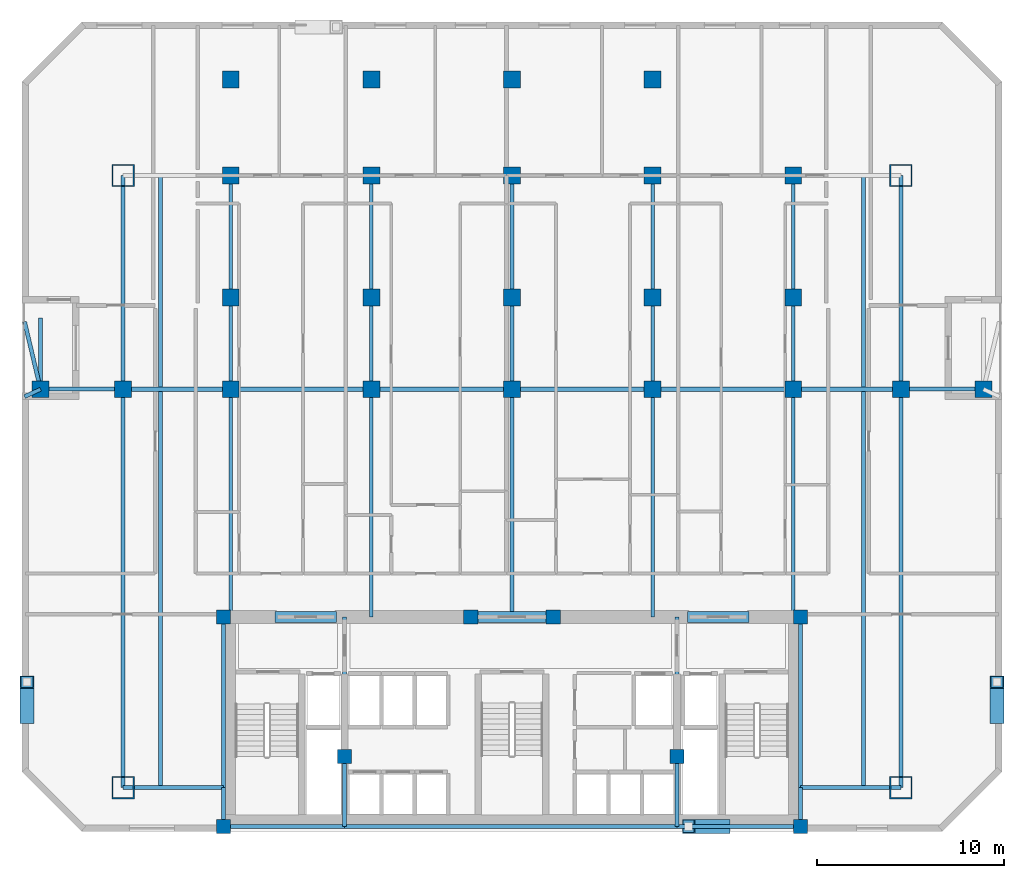
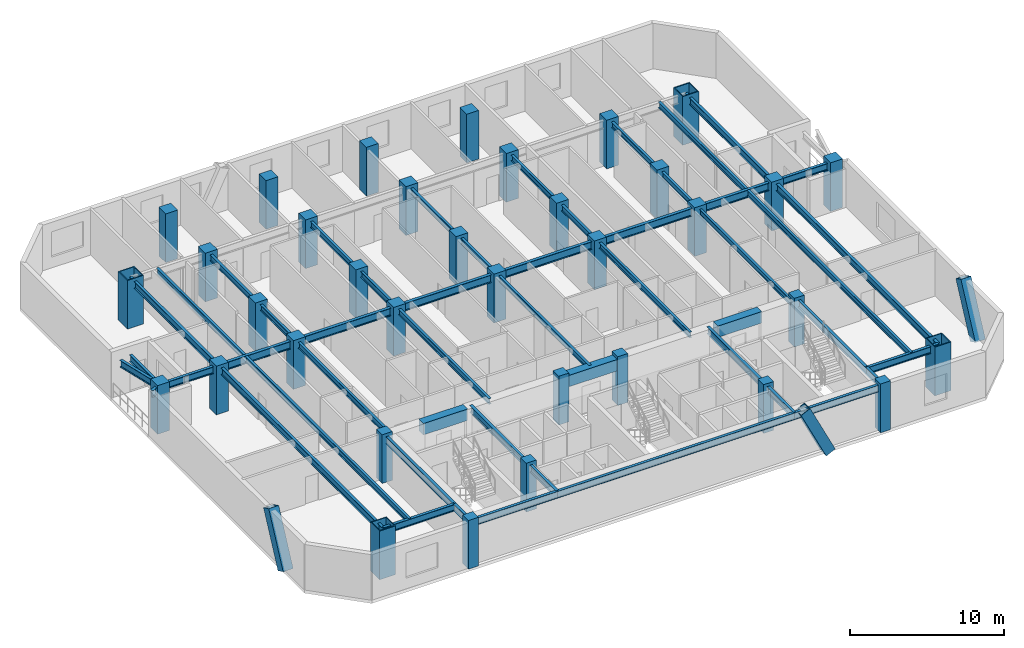
# One storey, part 1 of 9: 45 beams, 35 columns, 3 members.
"""IFC4 building model written with IfcOpenShell, lengths in metres."""

from ifc_helpers import new_model, si_unit, direction, frame, origin, origin_2d, place, context, subcontext, project, spatial, rectangle, hollow_rectangle, i_section, extrude, material, material_profile, profile_set, type_object, element, save


model = new_model("IFC4")

# Units and contexts
model_context = context("Model", 3, precision=1e-05, world=origin(), true_north=direction((0.0, 1.0)))
body_context = subcontext(model_context, "Body", "Model", "MODEL_VIEW")
ifc_project = project(units=[si_unit("LENGTHUNIT", "METRE"), si_unit("AREAUNIT", "SQUARE_METRE"), si_unit("VOLUMEUNIT", "CUBIC_METRE"), si_unit("PLANEANGLEUNIT", "RADIAN"), si_unit("MASSUNIT", "GRAM", prefix="KILO")], contexts=[model_context])

# Site, building, storey
site_placement = place(None, origin())
site = spatial("IfcSite", under=ifc_project, at=site_placement, CompositionType="ELEMENT")
building_placement = place(site_placement, origin())
building = spatial("IfcBuilding", under=site, at=building_placement, Name="Ventersveld Concourse Tower", CompositionType="ELEMENT")
storey_placement = place(building_placement, frame((0.0, 0.0, 100.300048828125)))
storey = spatial("IfcBuildingStorey", under=building, at=storey_placement, Name="L24", CompositionType="ELEMENT", Elevation=100.300048828125)

# Columns
ifc_material_1 = material(Name="Concrete C50/60", Category="concrete")
ifc_material_profile_1 = material_profile(ifc_material_1, rectangle(XDim=0.75, YDim=0.75, at=origin_2d()), Name="RC 750x750")
ifc_profile_set_1 = profile_set([ifc_material_profile_1], Name="Concrete C50/60")
column_type_1 = type_object("IfcColumnType", Name="COL-RC750", PredefinedType="COLUMN", material=ifc_profile_set_1)
for number, where, z_axis, x_axis, name in (
    (1, (13.35009765625, 0.280029296875, 0.0), (0.0, 0.0, 1.0), (1.0, 0.0, 0.0), "L24 Core Spine Column CC-SW"),
    (2, (44.14990234375, 0.280029296875, 0.0), (0.0, 0.0, 1.0), (1.0, 0.0, 0.0), "L24 Core Spine Column CC-SE"),
    (3, (13.35009765625, 11.449951171875, 0.0), (0.0, 0.0, 1.0), (1.0, 0.0, 0.0), "L24 Core Spine Column CC-NW"),
    (4, (44.14990234375, 11.449951171875, 0.0), (0.0, 0.0, 1.0), (1.0, 0.0, 0.0), "L24 Core Spine Column CC-NE"),
    (5, (19.820068359375, 4.0, 0.0), (0.0, 0.0, 1.0), (1.0, 0.0, 0.0), "L24 Core Spine Column CM-1"),
    (6, (37.550048828125, 4.0, 0.0), (0.0, 0.0, 1.0), (1.0, 0.0, 0.0), "L24 Core Spine Column CM-2"),
    (7, (26.550048828125, 11.449951171875, 0.0), (0.0, 0.0, 1.0), (1.0, 0.0, 0.0), "L24 Core Spine Column CM-3"),
    (8, (30.949951171875, 11.449951171875, 0.0), (0.0, 0.0, 1.0), (1.0, 0.0, 0.0), "L24 Core Spine Column CM-4"),
):
    element("IfcColumn", number, at=place(storey_placement, frame(where, z_axis=z_axis, x_axis=x_axis)), inside=storey, type_object=column_type_1, Name=name, PredefinedType="COLUMN", context=body_context, shape_type="SweptSolid", body=[
        extrude(rectangle(XDim=0.75, YDim=0.75, at=origin_2d()), origin(), (0.0, 0.0, 1.0), 3.849853515625),
    ])
ifc_material_2 = material(Name="Concrete C60/75", Category="concrete")
ifc_material_profile_2 = material_profile(ifc_material_2, rectangle(XDim=0.89990234375, YDim=0.89990234375, at=origin_2d()), Name="RC 900x900")
ifc_profile_set_2 = profile_set([ifc_material_profile_2], Name="Concrete C60/75")
column_type_2 = type_object("IfcColumnType", Name="COL-RC900", PredefinedType="COLUMN", material=ifc_profile_set_2)
for number, where, z_axis, x_axis, name in (
    (9, (3.60009765625, 23.60009765625, 0.0), (0.0, 0.0, 1.0), (1.0, 0.0, 0.0), "L24 Interior Gravity Column X=3.60 Y=23.60"),
    (10, (8.0, 23.60009765625, 0.0), (0.0, 0.0, 1.0), (1.0, 0.0, 0.0), "L24 Interior Gravity Column X=8.00 Y=23.60"),
    (11, (13.75, 23.60009765625, 0.0), (0.0, 0.0, 1.0), (1.0, 0.0, 0.0), "L24 Interior Gravity Column X=13.75 Y=23.60"),
    (12, (21.25, 23.60009765625, 0.0), (0.0, 0.0, 1.0), (1.0, 0.0, 0.0), "L24 Interior Gravity Column X=21.25 Y=23.60"),
    (13, (28.75, 23.60009765625, 0.0), (0.0, 0.0, 1.0), (1.0, 0.0, 0.0), "L24 Interior Gravity Column X=28.75 Y=23.60"),
    (14, (36.25, 23.60009765625, 0.0), (0.0, 0.0, 1.0), (1.0, 0.0, 0.0), "L24 Interior Gravity Column X=36.25 Y=23.60"),
    (15, (43.75, 23.60009765625, 0.0), (0.0, 0.0, 1.0), (1.0, 0.0, 0.0), "L24 Interior Gravity Column X=43.75 Y=23.60"),
    (16, (49.5, 23.60009765625, 0.0), (0.0, 0.0, 1.0), (1.0, 0.0, 0.0), "L24 Interior Gravity Column X=49.50 Y=23.60"),
    (17, (53.89990234375, 23.60009765625, 0.0), (0.0, 0.0, 1.0), (1.0, 0.0, 0.0), "L24 Interior Gravity Column X=53.90 Y=23.60"),
    (18, (13.75, 28.5, 0.0), (0.0, 0.0, 1.0), (1.0, 0.0, 0.0), "L24 Upper-North Gravity Column X=13.75 Y=28.50"),
    (19, (21.25, 28.5, 0.0), (0.0, 0.0, 1.0), (1.0, 0.0, 0.0), "L24 Upper-North Gravity Column X=21.25 Y=28.50"),
    (20, (28.75, 28.5, 0.0), (0.0, 0.0, 1.0), (1.0, 0.0, 0.0), "L24 Upper-North Gravity Column X=28.75 Y=28.50"),
    (21, (36.25, 28.5, 0.0), (0.0, 0.0, 1.0), (1.0, 0.0, 0.0), "L24 Upper-North Gravity Column X=36.25 Y=28.50"),
    (22, (43.75, 28.5, 0.0), (0.0, 0.0, 1.0), (1.0, 0.0, 0.0), "L24 Upper-North Gravity Column X=43.75 Y=28.50"),
    (23, (13.75, 40.1201171875, 0.0), (0.0, 0.0, 1.0), (1.0, 0.0, 0.0), "L24 North Brace Node Column X=13.75 Y=40.12"),
    (24, (21.25, 40.1201171875, 0.0), (0.0, 0.0, 1.0), (1.0, 0.0, 0.0), "L24 North Brace Node Column X=21.25 Y=40.12"),
    (25, (28.75, 40.1201171875, 0.0), (0.0, 0.0, 1.0), (1.0, 0.0, 0.0), "L24 North Brace Node Column X=28.75 Y=40.12"),
    (26, (36.25, 40.1201171875, 0.0), (0.0, 0.0, 1.0), (1.0, 0.0, 0.0), "L24 North Brace Node Column X=36.25 Y=40.12"),
    (27, (13.75, 35.0, 0.0), (0.0, 0.0, 1.0), (1.0, 0.0, 0.0), "L24 Mid-North Column X=13.75 Y=35.00"),
    (28, (21.25, 35.0, 0.0), (0.0, 0.0, 1.0), (1.0, 0.0, 0.0), "L24 Mid-North Column X=21.25 Y=35.00"),
    (29, (28.75, 35.0, 0.0), (0.0, 0.0, 1.0), (1.0, 0.0, 0.0), "L24 Mid-North Column X=28.75 Y=35.00"),
    (30, (36.25, 35.0, 0.0), (0.0, 0.0, 1.0), (1.0, 0.0, 0.0), "L24 Mid-North Column X=36.25 Y=35.00"),
    (31, (43.75, 35.0, 0.0), (0.0, 0.0, 1.0), (1.0, 0.0, 0.0), "L24 Mid-North Column X=43.75 Y=35.00"),
):
    element("IfcColumn", number, at=place(storey_placement, frame(where, z_axis=z_axis, x_axis=x_axis)), inside=storey, type_object=column_type_2, Name=name, PredefinedType="COLUMN", context=body_context, shape_type="SweptSolid", body=[
        extrude(rectangle(XDim=0.89990234375, YDim=0.89990234375, at=origin_2d()), origin(), (0.0, 0.0, 1.0), 3.849853515625),
    ])
ifc_material_3 = material(Name="Structural steel S460ML", Category="steel")
ifc_material_profile_3 = material_profile(ifc_material_3, hollow_rectangle(XDim=1.199951171875, YDim=1.199951171875, WallThickness=0.070068359375, at=origin_2d()), Name="BOX 1200x1200x70")
ifc_profile_set_3 = profile_set([ifc_material_profile_3], Name="Structural steel S460ML")
column_type_3 = type_object("IfcColumnType", Name="MC-1200", PredefinedType="USERDEFINED", material=ifc_profile_set_3)
for number, where, z_axis, x_axis, name in (
    (32, (8.0, 2.35009765625, 0.0), (0.0, 0.0, 1.0), (1.0, 0.0, 0.0), "L24 Corner Mega-Column MC-SW"),
    (33, (49.5, 2.35009765625, 0.0), (0.0, 0.0, 1.0), (1.0, 0.0, 0.0), "L24 Corner Mega-Column MC-SE"),
    (34, (49.5, 35.0, 0.0), (0.0, 0.0, 1.0), (1.0, 0.0, 0.0), "L24 Corner Mega-Column MC-NE"),
    (35, (8.0, 35.0, 0.0), (0.0, 0.0, 1.0), (1.0, 0.0, 0.0), "L24 Corner Mega-Column MC-NW"),
):
    element("IfcColumn", number, at=place(storey_placement, frame(where, z_axis=z_axis, x_axis=x_axis)), inside=storey, type_object=column_type_3, Name=name, ObjectType="MEGA_COLUMN", PredefinedType="USERDEFINED", context=body_context, shape_type="SweptSolid", body=[
        extrude(hollow_rectangle(XDim=1.199951171875, YDim=1.199951171875, WallThickness=0.070068359375, at=origin_2d()), origin(), (0.0, 0.0, 1.0), 3.849853515625),
    ])

# Beams
ifc_material_4 = material(Name="Structural steel S355J2", Category="steel")
ifc_material_profile_4 = material_profile(ifc_material_4, i_section(OverallWidth=0.18994140625, OverallDepth=0.453369140625, WebThickness=0.008544921875, FlangeThickness=0.0126953125, FilletRadius=0.01025390625, at=origin_2d()), Name="UB 457x191x67")
ifc_profile_set_4 = profile_set([ifc_material_profile_4], Name="Structural steel S355J2")
beam_type_1 = type_object("IfcBeamType", Name="BM-UB457", PredefinedType="BEAM", material=ifc_profile_set_4)
beam_1_placement = place(storey_placement, frame((10.0, 2.35009765625, 3.373291015625), z_axis=(0.0, 1.0, 0.0), x_axis=(-1.0, 0.0, 0.0)))
element("IfcBeam", 36, at=beam_1_placement, inside=storey, type_object=beam_type_1, Name="L24 N-S Composite Floor Beam South X=10.00", PredefinedType="BEAM", context=body_context, shape_type="SweptSolid", body=[
    extrude(i_section(OverallWidth=0.18994140625, OverallDepth=0.453369140625, WebThickness=0.008544921875, FlangeThickness=0.0126953125, FilletRadius=0.01025390625, at=origin_2d()), origin(), (0.0, 0.0, 1.0), 21.15478515625),
])
beam_2_placement = place(storey_placement, frame((10.0, 23.695068359375, 3.373291015625), z_axis=(0.0, 1.0, 0.0), x_axis=(-1.0, 0.0, 0.0)))
element("IfcBeam", 37, at=beam_2_placement, inside=storey, type_object=beam_type_1, Name="L24 N-S Composite Floor Beam Mid X=10.00", PredefinedType="BEAM", context=body_context, shape_type="SweptSolid", body=[
    extrude(i_section(OverallWidth=0.18994140625, OverallDepth=0.453369140625, WebThickness=0.008544921875, FlangeThickness=0.0126953125, FilletRadius=0.01025390625, at=origin_2d()), origin(), (0.0, 0.0, 1.0), 11.304931640625),
])
beam_3_placement = place(storey_placement, frame((13.75, 11.449951171875, 3.373291015625), z_axis=(0.0, 1.0, 0.0), x_axis=(-1.0, 0.0, 0.0)))
element("IfcBeam", 38, at=beam_3_placement, inside=storey, type_object=beam_type_1, Name="L24 N-S Composite Floor Beam South X=13.75", PredefinedType="BEAM", context=body_context, shape_type="SweptSolid", body=[
    extrude(i_section(OverallWidth=0.18994140625, OverallDepth=0.453369140625, WebThickness=0.008544921875, FlangeThickness=0.0126953125, FilletRadius=0.01025390625, at=origin_2d()), origin(), (0.0, 0.0, 1.0), 12.150146484375),
])
beam_4_placement = place(storey_placement, frame((13.75, 23.60009765625, 3.373291015625), z_axis=(0.0, 1.0, 0.0), x_axis=(-1.0, 0.0, 0.0)))
element("IfcBeam", 39, at=beam_4_placement, inside=storey, type_object=beam_type_1, Name="L24 N-S Composite Floor Beam Mid X=13.75", PredefinedType="BEAM", context=body_context, shape_type="SweptSolid", body=[
    extrude(i_section(OverallWidth=0.18994140625, OverallDepth=0.453369140625, WebThickness=0.008544921875, FlangeThickness=0.0126953125, FilletRadius=0.01025390625, at=origin_2d()), origin(), (0.0, 0.0, 1.0), 11.39990234375),
])
beam_5_placement = place(storey_placement, frame((21.25, 11.449951171875, 3.373291015625), z_axis=(0.0, 1.0, 0.0), x_axis=(-1.0, 0.0, 0.0)))
element("IfcBeam", 40, at=beam_5_placement, inside=storey, type_object=beam_type_1, Name="L24 N-S Composite Floor Beam South X=21.25", PredefinedType="BEAM", context=body_context, shape_type="SweptSolid", body=[
    extrude(i_section(OverallWidth=0.18994140625, OverallDepth=0.453369140625, WebThickness=0.008544921875, FlangeThickness=0.0126953125, FilletRadius=0.01025390625, at=origin_2d()), origin(), (0.0, 0.0, 1.0), 12.150146484375),
])
beam_6_placement = place(storey_placement, frame((21.25, 23.60009765625, 3.373291015625), z_axis=(0.0, 1.0, 0.0), x_axis=(-1.0, 0.0, 0.0)))
element("IfcBeam", 41, at=beam_6_placement, inside=storey, type_object=beam_type_1, Name="L24 N-S Composite Floor Beam Mid X=21.25", PredefinedType="BEAM", context=body_context, shape_type="SweptSolid", body=[
    extrude(i_section(OverallWidth=0.18994140625, OverallDepth=0.453369140625, WebThickness=0.008544921875, FlangeThickness=0.0126953125, FilletRadius=0.01025390625, at=origin_2d()), origin(), (0.0, 0.0, 1.0), 11.39990234375),
])
beam_7_placement = place(storey_placement, frame((28.75, 11.449951171875, 3.373291015625), z_axis=(0.0, 1.0, 0.0), x_axis=(-1.0, 0.0, 0.0)))
element("IfcBeam", 42, at=beam_7_placement, inside=storey, type_object=beam_type_1, Name="L24 N-S Composite Floor Beam South X=28.75", PredefinedType="BEAM", context=body_context, shape_type="SweptSolid", body=[
    extrude(i_section(OverallWidth=0.18994140625, OverallDepth=0.453369140625, WebThickness=0.008544921875, FlangeThickness=0.0126953125, FilletRadius=0.01025390625, at=origin_2d()), origin(), (0.0, 0.0, 1.0), 12.150146484375),
])
beam_8_placement = place(storey_placement, frame((28.75, 23.60009765625, 3.373291015625), z_axis=(0.0, 1.0, 0.0), x_axis=(-1.0, 0.0, 0.0)))
element("IfcBeam", 43, at=beam_8_placement, inside=storey, type_object=beam_type_1, Name="L24 N-S Composite Floor Beam Mid X=28.75", PredefinedType="BEAM", context=body_context, shape_type="SweptSolid", body=[
    extrude(i_section(OverallWidth=0.18994140625, OverallDepth=0.453369140625, WebThickness=0.008544921875, FlangeThickness=0.0126953125, FilletRadius=0.01025390625, at=origin_2d()), origin(), (0.0, 0.0, 1.0), 11.39990234375),
])
beam_9_placement = place(storey_placement, frame((36.25, 11.449951171875, 3.373291015625), z_axis=(0.0, 1.0, 0.0), x_axis=(-1.0, 0.0, 0.0)))
element("IfcBeam", 44, at=beam_9_placement, inside=storey, type_object=beam_type_1, Name="L24 N-S Composite Floor Beam South X=36.25", PredefinedType="BEAM", context=body_context, shape_type="SweptSolid", body=[
    extrude(i_section(OverallWidth=0.18994140625, OverallDepth=0.453369140625, WebThickness=0.008544921875, FlangeThickness=0.0126953125, FilletRadius=0.01025390625, at=origin_2d()), origin(), (0.0, 0.0, 1.0), 12.150146484375),
])
beam_10_placement = place(storey_placement, frame((36.25, 23.60009765625, 3.373291015625), z_axis=(0.0, 1.0, 0.0), x_axis=(-1.0, 0.0, 0.0)))
element("IfcBeam", 45, at=beam_10_placement, inside=storey, type_object=beam_type_1, Name="L24 N-S Composite Floor Beam Mid X=36.25", PredefinedType="BEAM", context=body_context, shape_type="SweptSolid", body=[
    extrude(i_section(OverallWidth=0.18994140625, OverallDepth=0.453369140625, WebThickness=0.008544921875, FlangeThickness=0.0126953125, FilletRadius=0.01025390625, at=origin_2d()), origin(), (0.0, 0.0, 1.0), 11.39990234375),
])
beam_11_placement = place(storey_placement, frame((43.75, 11.449951171875, 3.373291015625), z_axis=(0.0, 1.0, 0.0), x_axis=(-1.0, 0.0, 0.0)))
element("IfcBeam", 46, at=beam_11_placement, inside=storey, type_object=beam_type_1, Name="L24 N-S Composite Floor Beam South X=43.75", PredefinedType="BEAM", context=body_context, shape_type="SweptSolid", body=[
    extrude(i_section(OverallWidth=0.18994140625, OverallDepth=0.453369140625, WebThickness=0.008544921875, FlangeThickness=0.0126953125, FilletRadius=0.01025390625, at=origin_2d()), origin(), (0.0, 0.0, 1.0), 12.150146484375),
])
beam_12_placement = place(storey_placement, frame((43.75, 23.60009765625, 3.373291015625), z_axis=(0.0, 1.0, 0.0), x_axis=(-1.0, 0.0, 0.0)))
element("IfcBeam", 47, at=beam_12_placement, inside=storey, type_object=beam_type_1, Name="L24 N-S Composite Floor Beam Mid X=43.75", PredefinedType="BEAM", context=body_context, shape_type="SweptSolid", body=[
    extrude(i_section(OverallWidth=0.18994140625, OverallDepth=0.453369140625, WebThickness=0.008544921875, FlangeThickness=0.0126953125, FilletRadius=0.01025390625, at=origin_2d()), origin(), (0.0, 0.0, 1.0), 11.39990234375),
])
beam_13_placement = place(storey_placement, frame((47.5, 2.35009765625, 3.373291015625), z_axis=(0.0, 1.0, 0.0), x_axis=(-1.0, 0.0, 0.0)))
element("IfcBeam", 48, at=beam_13_placement, inside=storey, type_object=beam_type_1, Name="L24 N-S Composite Floor Beam South X=47.50", PredefinedType="BEAM", context=body_context, shape_type="SweptSolid", body=[
    extrude(i_section(OverallWidth=0.18994140625, OverallDepth=0.453369140625, WebThickness=0.008544921875, FlangeThickness=0.0126953125, FilletRadius=0.01025390625, at=origin_2d()), origin(), (0.0, 0.0, 1.0), 21.15478515625),
])
beam_14_placement = place(storey_placement, frame((47.5, 23.695068359375, 3.373291015625), z_axis=(0.0, 1.0, 0.0), x_axis=(-1.0, 0.0, 0.0)))
element("IfcBeam", 49, at=beam_14_placement, inside=storey, type_object=beam_type_1, Name="L24 N-S Composite Floor Beam Mid X=47.50", PredefinedType="BEAM", context=body_context, shape_type="SweptSolid", body=[
    extrude(i_section(OverallWidth=0.18994140625, OverallDepth=0.453369140625, WebThickness=0.008544921875, FlangeThickness=0.0126953125, FilletRadius=0.01025390625, at=origin_2d()), origin(), (0.0, 0.0, 1.0), 11.304931640625),
])
ifc_material_profile_5 = material_profile(ifc_material_2, rectangle(XDim=0.60009765625, YDim=0.89990234375, at=origin_2d()), Name="RC 600x900")
ifc_profile_set_5 = profile_set([ifc_material_profile_5], Name="Concrete C60/75")
beam_type_2 = type_object("IfcBeamType", Name="CB-RC600x900L", PredefinedType="LINTEL", material=ifc_profile_set_5)
beam_15_placement = place(storey_placement, frame((16.10009765625, 11.449951171875, 3.14990234375), z_axis=(1.0, 0.0, 0.0), x_axis=(0.0, 1.0, 0.0)))
element("IfcBeam", 50, at=beam_15_placement, inside=storey, type_object=beam_type_2, Name="L24 Core Coupling Lintel Beam 1", PredefinedType="LINTEL", context=body_context, shape_type="SweptSolid", body=[
    extrude(rectangle(XDim=0.60009765625, YDim=0.89990234375, at=origin_2d()), origin(), (0.0, 0.0, 1.0), 3.2998046875),
])
beam_16_placement = place(storey_placement, frame((26.5, 11.449951171875, 3.14990234375), z_axis=(1.0, 0.0, 0.0), x_axis=(0.0, 1.0, 0.0)))
element("IfcBeam", 51, at=beam_16_placement, inside=storey, type_object=beam_type_2, Name="L24 Core Coupling Lintel Beam 2", PredefinedType="LINTEL", context=body_context, shape_type="SweptSolid", body=[
    extrude(rectangle(XDim=0.60009765625, YDim=0.89990234375, at=origin_2d()), origin(), (0.0, 0.0, 1.0), 4.5),
])
beam_17_placement = place(storey_placement, frame((38.10009765625, 11.449951171875, 3.14990234375), z_axis=(1.0, 0.0, 0.0), x_axis=(0.0, 1.0, 0.0)))
element("IfcBeam", 52, at=beam_17_placement, inside=storey, type_object=beam_type_2, Name="L24 Core Coupling Lintel Beam 3", PredefinedType="LINTEL", context=body_context, shape_type="SweptSolid", body=[
    extrude(rectangle(XDim=0.60009765625, YDim=0.89990234375, at=origin_2d()), origin(), (0.0, 0.0, 1.0), 3.2998046875),
])
ifc_material_profile_6 = material_profile(ifc_material_4, i_section(OverallWidth=0.2119140625, OverallDepth=0.54443359375, WebThickness=0.0126953125, FlangeThickness=0.021240234375, FilletRadius=0.0126953125, at=origin_2d()), Name="UB 533x210x122")
ifc_profile_set_6 = profile_set([ifc_material_profile_6], Name="Structural steel S355J2")
beam_type_3 = type_object("IfcBeamType", Name="GRD-UB533H", PredefinedType="T_BEAM", material=ifc_profile_set_6)
beam_18_placement = place(storey_placement, frame((13.35009765625, 0.280029296875, 3.32763671875), z_axis=(0.0, 1.0, 0.0), x_axis=(-1.0, 0.0, 0.0)))
element("IfcBeam", 53, at=beam_18_placement, inside=storey, type_object=beam_type_3, Name="L24 Core West Tie Beam S", PredefinedType="T_BEAM", context=body_context, shape_type="SweptSolid", body=[
    extrude(i_section(OverallWidth=0.2119140625, OverallDepth=0.54443359375, WebThickness=0.0126953125, FlangeThickness=0.021240234375, FilletRadius=0.0126953125, at=origin_2d()), origin(), (0.0, 0.0, 1.0), 2.070068359375),
])
beam_19_placement = place(storey_placement, frame((13.35009765625, 2.35009765625, 3.32763671875), z_axis=(0.0, 1.0, 0.0), x_axis=(-1.0, 0.0, 0.0)))
element("IfcBeam", 54, at=beam_19_placement, inside=storey, type_object=beam_type_3, Name="L24 Core West Tie Beam N", PredefinedType="T_BEAM", context=body_context, shape_type="SweptSolid", body=[
    extrude(i_section(OverallWidth=0.2119140625, OverallDepth=0.54443359375, WebThickness=0.0126953125, FlangeThickness=0.021240234375, FilletRadius=0.0126953125, at=origin_2d()), origin(), (0.0, 0.0, 1.0), 9.099853515625),
])
beam_20_placement = place(storey_placement, frame((44.14990234375, 0.280029296875, 3.32763671875), z_axis=(0.0, 1.0, 0.0), x_axis=(-1.0, 0.0, 0.0)))
element("IfcBeam", 55, at=beam_20_placement, inside=storey, type_object=beam_type_3, Name="L24 Core East Tie Beam S", PredefinedType="T_BEAM", context=body_context, shape_type="SweptSolid", body=[
    extrude(i_section(OverallWidth=0.2119140625, OverallDepth=0.54443359375, WebThickness=0.0126953125, FlangeThickness=0.021240234375, FilletRadius=0.0126953125, at=origin_2d()), origin(), (0.0, 0.0, 1.0), 2.070068359375),
])
beam_21_placement = place(storey_placement, frame((44.14990234375, 2.35009765625, 3.32763671875), z_axis=(0.0, 1.0, 0.0), x_axis=(-1.0, 0.0, 0.0)))
element("IfcBeam", 56, at=beam_21_placement, inside=storey, type_object=beam_type_3, Name="L24 Core East Tie Beam N", PredefinedType="T_BEAM", context=body_context, shape_type="SweptSolid", body=[
    extrude(i_section(OverallWidth=0.2119140625, OverallDepth=0.54443359375, WebThickness=0.0126953125, FlangeThickness=0.021240234375, FilletRadius=0.0126953125, at=origin_2d()), origin(), (0.0, 0.0, 1.0), 9.099853515625),
])
beam_22_placement = place(storey_placement, frame((13.35009765625, 0.280029296875, 3.32763671875), z_axis=(1.0, 0.0, 0.0), x_axis=(0.0, 1.0, 0.0)))
element("IfcBeam", 57, at=beam_22_placement, inside=storey, type_object=beam_type_3, Name="L24 Core South Tie Beam W", PredefinedType="T_BEAM", context=body_context, shape_type="SweptSolid", body=[
    extrude(i_section(OverallWidth=0.2119140625, OverallDepth=0.54443359375, WebThickness=0.0126953125, FlangeThickness=0.021240234375, FilletRadius=0.0126953125, at=origin_2d()), origin(), (0.0, 0.0, 1.0), 6.469970703125),
])
beam_23_placement = place(storey_placement, frame((19.820068359375, 0.280029296875, 3.32763671875), z_axis=(1.0, 0.0, 0.0), x_axis=(0.0, 1.0, 0.0)))
element("IfcBeam", 58, at=beam_23_placement, inside=storey, type_object=beam_type_3, Name="L24 Core South Tie Beam C", PredefinedType="T_BEAM", context=body_context, shape_type="SweptSolid", body=[
    extrude(i_section(OverallWidth=0.2119140625, OverallDepth=0.54443359375, WebThickness=0.0126953125, FlangeThickness=0.021240234375, FilletRadius=0.0126953125, at=origin_2d()), origin(), (0.0, 0.0, 1.0), 17.72998046875),
])
beam_24_placement = place(storey_placement, frame((37.550048828125, 0.280029296875, 3.32763671875), z_axis=(1.0, 0.0, 0.0), x_axis=(0.0, 1.0, 0.0)))
element("IfcBeam", 59, at=beam_24_placement, inside=storey, type_object=beam_type_3, Name="L24 Core South Tie Beam E", PredefinedType="T_BEAM", context=body_context, shape_type="SweptSolid", body=[
    extrude(i_section(OverallWidth=0.2119140625, OverallDepth=0.54443359375, WebThickness=0.0126953125, FlangeThickness=0.021240234375, FilletRadius=0.0126953125, at=origin_2d()), origin(), (0.0, 0.0, 1.0), 6.599853515625),
])
beam_25_placement = place(storey_placement, frame((19.820068359375, 0.280029296875, 3.32763671875), z_axis=(0.0, 1.0, 0.0), x_axis=(-1.0, 0.0, 0.0)))
element("IfcBeam", 60, at=beam_25_placement, inside=storey, type_object=beam_type_3, Name="L24 Core Spine N-S Tie Beam W1", PredefinedType="T_BEAM", context=body_context, shape_type="SweptSolid", body=[
    extrude(i_section(OverallWidth=0.2119140625, OverallDepth=0.54443359375, WebThickness=0.0126953125, FlangeThickness=0.021240234375, FilletRadius=0.0126953125, at=origin_2d()), origin(), (0.0, 0.0, 1.0), 3.719970703125),
])
beam_26_placement = place(storey_placement, frame((19.820068359375, 4.0, 3.32763671875), z_axis=(0.0, 1.0, 0.0), x_axis=(-1.0, 0.0, 0.0)))
element("IfcBeam", 61, at=beam_26_placement, inside=storey, type_object=beam_type_3, Name="L24 Core Spine N-S Tie Beam W2", PredefinedType="T_BEAM", context=body_context, shape_type="SweptSolid", body=[
    extrude(i_section(OverallWidth=0.2119140625, OverallDepth=0.54443359375, WebThickness=0.0126953125, FlangeThickness=0.021240234375, FilletRadius=0.0126953125, at=origin_2d()), origin(), (0.0, 0.0, 1.0), 7.449951171875),
])
beam_27_placement = place(storey_placement, frame((37.550048828125, 0.280029296875, 3.32763671875), z_axis=(0.0, 1.0, 0.0), x_axis=(-1.0, 0.0, 0.0)))
element("IfcBeam", 62, at=beam_27_placement, inside=storey, type_object=beam_type_3, Name="L24 Core Spine N-S Tie Beam E1", PredefinedType="T_BEAM", context=body_context, shape_type="SweptSolid", body=[
    extrude(i_section(OverallWidth=0.2119140625, OverallDepth=0.54443359375, WebThickness=0.0126953125, FlangeThickness=0.021240234375, FilletRadius=0.0126953125, at=origin_2d()), origin(), (0.0, 0.0, 1.0), 3.719970703125),
])
beam_28_placement = place(storey_placement, frame((37.550048828125, 4.0, 3.32763671875), z_axis=(0.0, 1.0, 0.0), x_axis=(-1.0, 0.0, 0.0)))
element("IfcBeam", 63, at=beam_28_placement, inside=storey, type_object=beam_type_3, Name="L24 Core Spine N-S Tie Beam E2", PredefinedType="T_BEAM", context=body_context, shape_type="SweptSolid", body=[
    extrude(i_section(OverallWidth=0.2119140625, OverallDepth=0.54443359375, WebThickness=0.0126953125, FlangeThickness=0.021240234375, FilletRadius=0.0126953125, at=origin_2d()), origin(), (0.0, 0.0, 1.0), 7.449951171875),
])
ifc_material_profile_7 = material_profile(ifc_material_4, i_section(OverallWidth=0.230224609375, OverallDepth=0.6171875, WebThickness=0.01318359375, FlangeThickness=0.022216796875, FilletRadius=0.0126953125, at=origin_2d()), Name="UB 610x229x140")
ifc_profile_set_7 = profile_set([ifc_material_profile_7], Name="Structural steel S355J2")
beam_type_4 = type_object("IfcBeamType", Name="GRD-UB610", PredefinedType="USERDEFINED", material=ifc_profile_set_7)
beam_29_placement = place(storey_placement, frame((8.0, 23.60009765625, 3.291259765625), z_axis=(1.0, 0.0, 0.0), x_axis=(0.0, 1.0, 0.0)))
element("IfcBeam", 64, at=beam_29_placement, inside=storey, type_object=beam_type_4, Name="L24 Primary E-W Grid Girder Y=23.60 #1", ObjectType="GIRDER", PredefinedType="USERDEFINED", context=body_context, shape_type="SweptSolid", body=[
    extrude(i_section(OverallWidth=0.230224609375, OverallDepth=0.6171875, WebThickness=0.01318359375, FlangeThickness=0.022216796875, FilletRadius=0.0126953125, at=origin_2d()), origin(), (0.0, 0.0, 1.0), 5.75),
])
for number, where, z_axis, x_axis, name in (
    (65, (13.75, 23.60009765625, 3.291259765625), (1.0, 0.0, 0.0), (0.0, 1.0, 0.0), "L24 Primary E-W Grid Girder Y=23.60 #2"),
    (66, (21.25, 23.60009765625, 3.291259765625), (1.0, 0.0, 0.0), (0.0, 1.0, 0.0), "L24 Primary E-W Grid Girder Y=23.60 #3"),
    (67, (28.75, 23.60009765625, 3.291259765625), (1.0, 0.0, 0.0), (0.0, 1.0, 0.0), "L24 Primary E-W Grid Girder Y=23.60 #4"),
    (68, (36.25, 23.60009765625, 3.291259765625), (1.0, 0.0, 0.0), (0.0, 1.0, 0.0), "L24 Primary E-W Grid Girder Y=23.60 #5"),
):
    element("IfcBeam", number, at=place(storey_placement, frame(where, z_axis=z_axis, x_axis=x_axis)), inside=storey, type_object=beam_type_4, Name=name, ObjectType="GIRDER", PredefinedType="USERDEFINED", context=body_context, shape_type="SweptSolid", body=[
        extrude(i_section(OverallWidth=0.230224609375, OverallDepth=0.6171875, WebThickness=0.01318359375, FlangeThickness=0.022216796875, FilletRadius=0.0126953125, at=origin_2d()), origin(), (0.0, 0.0, 1.0), 7.5),
    ])
beam_30_placement = place(storey_placement, frame((43.75, 23.60009765625, 3.291259765625), z_axis=(1.0, 0.0, 0.0), x_axis=(0.0, 1.0, 0.0)))
element("IfcBeam", 69, at=beam_30_placement, inside=storey, type_object=beam_type_4, Name="L24 Primary E-W Grid Girder Y=23.60 #6", ObjectType="GIRDER", PredefinedType="USERDEFINED", context=body_context, shape_type="SweptSolid", body=[
    extrude(i_section(OverallWidth=0.230224609375, OverallDepth=0.6171875, WebThickness=0.01318359375, FlangeThickness=0.022216796875, FilletRadius=0.0126953125, at=origin_2d()), origin(), (0.0, 0.0, 1.0), 5.75),
])

# Members
ifc_material_5 = material(Name="Structural steel S355ML", Category="steel")
ifc_material_profile_8 = material_profile(ifc_material_5, hollow_rectangle(XDim=0.75, YDim=0.75, WallThickness=0.044921875, at=origin_2d()), Name="BOX 750x750x45")
ifc_profile_set_8 = profile_set([ifc_material_profile_8], Name="Structural steel S355ML")
member_type = type_object("IfcMemberType", Name="MB-750x750", PredefinedType="BRACE", material=ifc_profile_set_8)
for number, where, z_axis, x_axis, name in (
    (70, (40.050048828125, 0.280029296875, -0.25), (-0.437861906815, 0.0, 0.899042240699), (0.0, -1.0, 0.0), "L24 Exterior Mega-Brace S (Module M05)"),
    (71, (2.8798828125, 6.10009765625, -0.25), (0.0, 0.437861906815, 0.899042240699), (-1.0, 0.0, 0.0), "L24 Exterior Mega-Brace W (Module M05)"),
    (72, (54.6201171875, 6.10009765625, -0.25), (0.0, 0.437861906815, 0.899042240699), (-1.0, 0.0, 0.0), "L24 Exterior Mega-Brace E (Module M05)"),
):
    element("IfcMember", number, at=place(storey_placement, frame(where, z_axis=z_axis, x_axis=x_axis)), inside=storey, type_object=member_type, Name=name, PredefinedType="BRACE", context=body_context, shape_type="SweptSolid", body=[
        extrude(hollow_rectangle(XDim=0.75, YDim=0.75, WallThickness=0.044921875, at=origin_2d()), origin(), (0.0, 0.0, 1.0), 4.2822265625),
    ])

# Beams
ifc_material_profile_9 = material_profile(ifc_material_4, i_section(OverallWidth=0.2119140625, OverallDepth=0.54443359375, WebThickness=0.0126953125, FlangeThickness=0.021240234375, FilletRadius=0.0126953125, at=origin_2d()), Name="UB 533x210x122")
ifc_profile_set_9 = profile_set([ifc_material_profile_9], Name="Structural steel S355J2")
beam_type_5 = type_object("IfcBeamType", Name="SPD-UB533", PredefinedType="SPANDREL", material=ifc_profile_set_9)
for number, where, z_axis, x_axis, name in (
    (73, (8.0, 2.35009765625, 3.32763671875), (1.0, 0.0, 0.0), (0.0, 1.0, 0.0), "L24 SW Spandrel Beam"),
    (74, (44.14990234375, 2.35009765625, 3.32763671875), (1.0, 0.0, 0.0), (0.0, 1.0, 0.0), "L24 SE Spandrel Beam"),
):
    element("IfcBeam", number, at=place(storey_placement, frame(where, z_axis=z_axis, x_axis=x_axis)), inside=storey, type_object=beam_type_5, Name=name, PredefinedType="SPANDREL", context=body_context, shape_type="SweptSolid", body=[
        extrude(i_section(OverallWidth=0.2119140625, OverallDepth=0.54443359375, WebThickness=0.0126953125, FlangeThickness=0.021240234375, FilletRadius=0.0126953125, at=origin_2d()), origin(), (0.0, 0.0, 1.0), 5.35009765625),
    ])
beam_31_placement = place(storey_placement, frame((8.0, 2.35009765625, 3.32763671875), z_axis=(0.0, 1.0, 0.0), x_axis=(-1.0, 0.0, 0.0)))
element("IfcBeam", 75, at=beam_31_placement, inside=storey, type_object=beam_type_5, Name="L24 West Spandrel Beam S", PredefinedType="SPANDREL", context=body_context, shape_type="SweptSolid", body=[
    extrude(i_section(OverallWidth=0.2119140625, OverallDepth=0.54443359375, WebThickness=0.0126953125, FlangeThickness=0.021240234375, FilletRadius=0.0126953125, at=origin_2d()), origin(), (0.0, 0.0, 1.0), 21.25),
])
beam_32_placement = place(storey_placement, frame((8.0, 23.60009765625, 3.32763671875), z_axis=(0.0, 1.0, 0.0), x_axis=(-1.0, 0.0, 0.0)))
element("IfcBeam", 76, at=beam_32_placement, inside=storey, type_object=beam_type_5, Name="L24 West Spandrel Beam N", PredefinedType="SPANDREL", context=body_context, shape_type="SweptSolid", body=[
    extrude(i_section(OverallWidth=0.2119140625, OverallDepth=0.54443359375, WebThickness=0.0126953125, FlangeThickness=0.021240234375, FilletRadius=0.0126953125, at=origin_2d()), origin(), (0.0, 0.0, 1.0), 11.39990234375),
])
beam_33_placement = place(storey_placement, frame((49.5, 2.35009765625, 3.32763671875), z_axis=(0.0, 1.0, 0.0), x_axis=(-1.0, 0.0, 0.0)))
element("IfcBeam", 77, at=beam_33_placement, inside=storey, type_object=beam_type_5, Name="L24 East Spandrel Beam S", PredefinedType="SPANDREL", context=body_context, shape_type="SweptSolid", body=[
    extrude(i_section(OverallWidth=0.2119140625, OverallDepth=0.54443359375, WebThickness=0.0126953125, FlangeThickness=0.021240234375, FilletRadius=0.0126953125, at=origin_2d()), origin(), (0.0, 0.0, 1.0), 21.25),
])
beam_34_placement = place(storey_placement, frame((49.5, 23.60009765625, 3.32763671875), z_axis=(0.0, 1.0, 0.0), x_axis=(-1.0, 0.0, 0.0)))
element("IfcBeam", 78, at=beam_34_placement, inside=storey, type_object=beam_type_5, Name="L24 East Spandrel Beam N", PredefinedType="SPANDREL", context=body_context, shape_type="SweptSolid", body=[
    extrude(i_section(OverallWidth=0.2119140625, OverallDepth=0.54443359375, WebThickness=0.0126953125, FlangeThickness=0.021240234375, FilletRadius=0.0126953125, at=origin_2d()), origin(), (0.0, 0.0, 1.0), 11.39990234375),
])
beam_35_placement = place(storey_placement, frame((3.60009765625, 23.60009765625, 3.32763671875), z_axis=(0.0, 1.0, 0.0), x_axis=(-1.0, 0.0, 0.0)))
element("IfcBeam", 79, at=beam_35_placement, inside=storey, type_object=beam_type_5, Name="L24 West Valley Spine Girder", PredefinedType="SPANDREL", context=body_context, shape_type="SweptSolid", body=[
    extrude(i_section(OverallWidth=0.2119140625, OverallDepth=0.54443359375, WebThickness=0.0126953125, FlangeThickness=0.021240234375, FilletRadius=0.0126953125, at=origin_2d()), origin(), (0.0, 0.0, 1.0), 3.7998046875),
])
beam_36_placement = place(storey_placement, frame((3.60009765625, 23.60009765625, 3.32763671875), z_axis=(1.0, 0.0, 0.0), x_axis=(0.0, 1.0, 0.0)))
element("IfcBeam", 80, at=beam_36_placement, inside=storey, type_object=beam_type_5, Name="L24 West Valley Tie S", PredefinedType="SPANDREL", context=body_context, shape_type="SweptSolid", body=[
    extrude(i_section(OverallWidth=0.2119140625, OverallDepth=0.54443359375, WebThickness=0.0126953125, FlangeThickness=0.021240234375, FilletRadius=0.0126953125, at=origin_2d()), origin(), (0.0, 0.0, 1.0), 4.39990234375),
])
beam_37_placement = place(storey_placement, frame((2.75, 23.199951171875, 3.32763671875), z_axis=(0.904777476219, 0.425884630535, 0.0), x_axis=(-0.425884630535, 0.904777476219, 0.0)))
element("IfcBeam", 81, at=beam_37_placement, inside=storey, type_object=beam_type_5, Name="L24 West Valley Corner Bracket 1", PredefinedType="SPANDREL", context=body_context, shape_type="SweptSolid", body=[
    extrude(i_section(OverallWidth=0.2119140625, OverallDepth=0.54443359375, WebThickness=0.0126953125, FlangeThickness=0.021240234375, FilletRadius=0.0126953125, at=origin_2d()), origin(), (0.0, 0.0, 1.0), 0.939453125),
])
beam_38_placement = place(storey_placement, frame((2.75, 27.199951171875, 3.32763671875), z_axis=(0.229826547993, -0.973231605445, 0.0), x_axis=(0.973231605445, 0.229826547993, 0.0)))
element("IfcBeam", 82, at=beam_38_placement, inside=storey, type_object=beam_type_5, Name="L24 West Valley Corner Bracket 2", PredefinedType="SPANDREL", context=body_context, shape_type="SweptSolid", body=[
    extrude(i_section(OverallWidth=0.2119140625, OverallDepth=0.54443359375, WebThickness=0.0126953125, FlangeThickness=0.021240234375, FilletRadius=0.0126953125, at=origin_2d()), origin(), (0.0, 0.0, 1.0), 3.698974609375),
])
beam_39_placement = place(storey_placement, frame((49.5, 23.60009765625, 3.32763671875), z_axis=(1.0, 0.0, 0.0), x_axis=(0.0, 1.0, 0.0)))
element("IfcBeam", 83, at=beam_39_placement, inside=storey, type_object=beam_type_5, Name="L24 East Valley Tie S", PredefinedType="SPANDREL", context=body_context, shape_type="SweptSolid", body=[
    extrude(i_section(OverallWidth=0.2119140625, OverallDepth=0.54443359375, WebThickness=0.0126953125, FlangeThickness=0.021240234375, FilletRadius=0.0126953125, at=origin_2d()), origin(), (0.0, 0.0, 1.0), 4.39990234375),
])

save(model, "model.ifc")
